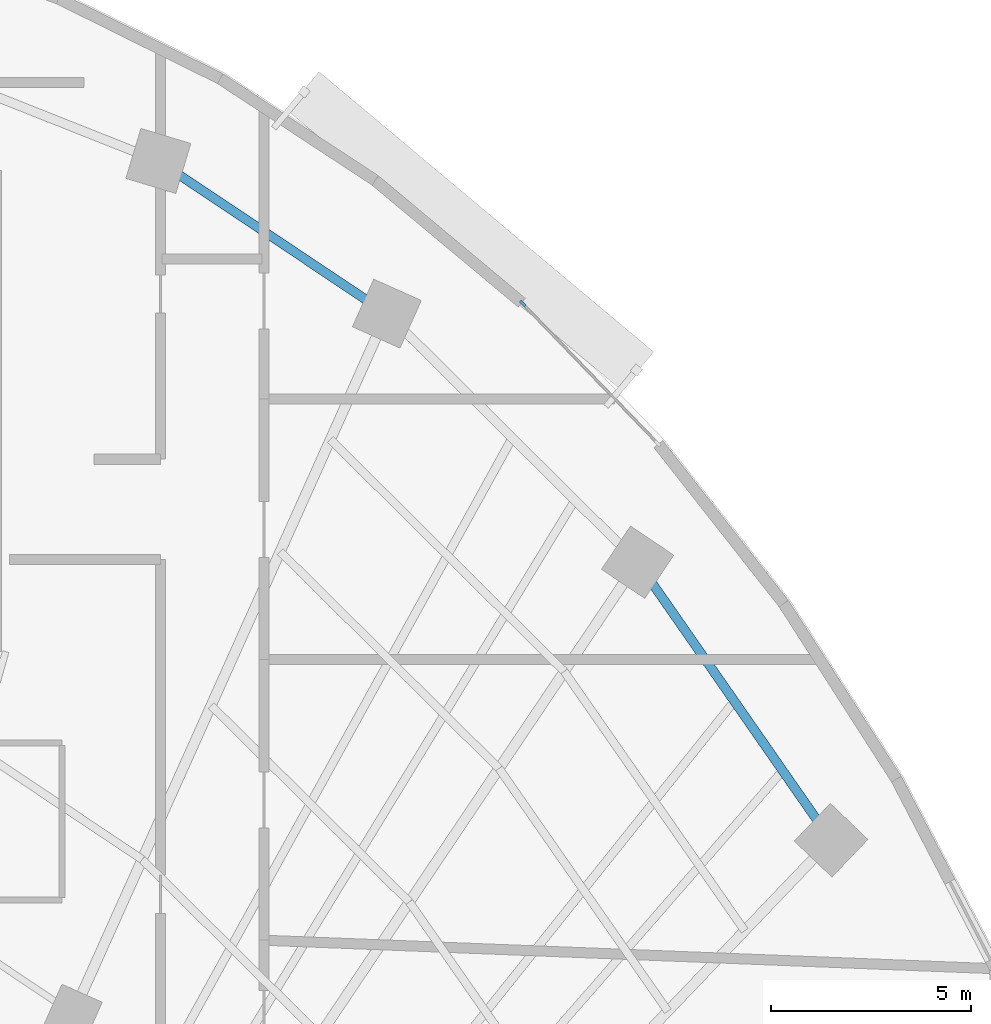
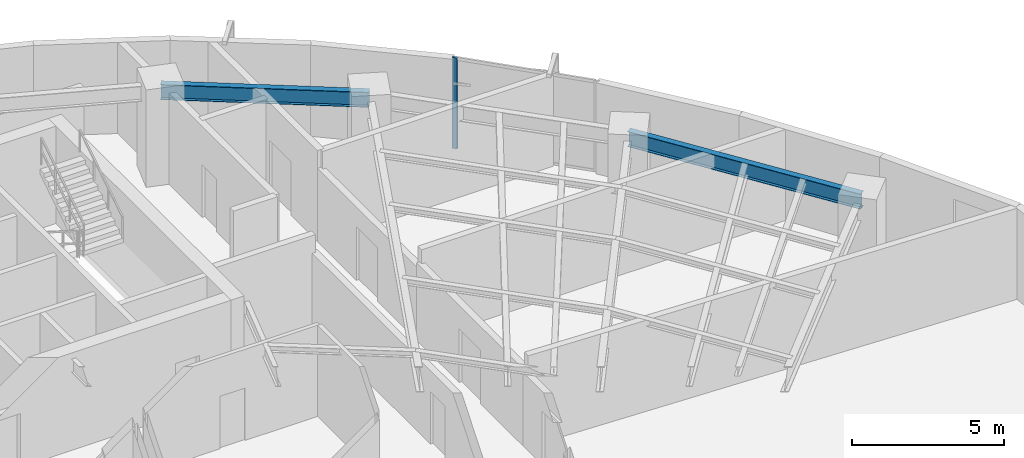
# One storey, part 6 of 14: 2 beams, 1 member, 1 element without a shape of its own.
"""IFC4 building model written with IfcOpenShell, lengths in metres."""

from ifc_helpers import new_model, si_unit, direction, frame, origin, origin_2d, place, context, subcontext, project, spatial, rectangle, i_section, extrude, source, transform, mapped, material, layer, layer_set, material_profile, profile_set, type_object, element, aggregate, save


model = new_model("IFC4")

# Units and contexts
model_context = context("Model", 3, precision=1e-05, world=origin(), true_north=direction((0.0, 1.0)))
body_context = subcontext(model_context, "Body", "Model", "MODEL_VIEW")
ifc_project = project(units=[si_unit("LENGTHUNIT", "METRE"), si_unit("AREAUNIT", "SQUARE_METRE"), si_unit("VOLUMEUNIT", "CUBIC_METRE"), si_unit("PLANEANGLEUNIT", "RADIAN"), si_unit("MASSUNIT", "GRAM", prefix="KILO")], contexts=[model_context])

# Site, building, storey
site_placement = place(None, origin())
site = spatial("IfcSite", under=ifc_project, at=site_placement, CompositionType="ELEMENT")
building_placement = place(site_placement, origin())
building = spatial("IfcBuilding", under=site, at=building_placement, Name="Breltana Convention Tower", CompositionType="ELEMENT")
storey_placement = place(building_placement, frame((0.0, 0.0, 119.39990234375)))
storey = spatial("IfcBuildingStorey", under=building, at=storey_placement, Name="L28", CompositionType="ELEMENT", Elevation=119.39990234375)

# Beams
ifc_material_1 = material(Name="Steel ASTM A992 Grade 50", Category="steel")
ifc_material_profile_1 = material_profile(ifc_material_1, i_section(OverallWidth=0.22802734375, OverallDepth=0.60791015625, WebThickness=0.01123046875, FlangeThickness=0.017333984375, at=origin_2d()), Name="W24X76")
ifc_profile_set_1 = profile_set([ifc_material_profile_1], Name="Steel ASTM A992 Grade 50")
beam_type = type_object("IfcBeamType", Name="BM-SP-W24X76", PredefinedType="SPANDREL", material=ifc_profile_set_1)
shared_shape_1 = source(origin(), body_context, "Body", "SweptSolid", [
    extrude(i_section(OverallWidth=0.22802734375, OverallDepth=0.60791015625, WebThickness=0.01123046875, FlangeThickness=0.017333984375, at=origin_2d()), origin(), (0.0, 0.0, 1.0), 6.856689453125),
])
beam_1_placement = place(storey_placement, frame((63.208984375, 72.4423828125, 3.34619140625), z_axis=(0.83150210718, -0.55552159792, 0.0), x_axis=(0.55552159792, 0.83150210718, 0.0)))
element("IfcBeam", 1, at=beam_1_placement, inside=storey, type_object=beam_type, Name="L28 Outer Spandrel Beam 08", PredefinedType="SPANDREL", context=body_context, shape_type="MappedRepresentation", body=[
    mapped(shared_shape_1, transform((0.0, 0.0, 0.0), scale=1.0)),
])
shared_shape_2 = source(origin(), body_context, "Body", "SweptSolid", [
    extrude(i_section(OverallWidth=0.22802734375, OverallDepth=0.60791015625, WebThickness=0.01123046875, FlangeThickness=0.017333984375, at=origin_2d()), origin(), (0.0, 0.0, 1.0), 8.44970703125),
])
beam_2_placement = place(storey_placement, frame((75.166748046875, 62.43017578125, 3.34619140625), z_axis=(0.5711855381, -0.820820979913, 0.0), x_axis=(0.820820979913, 0.5711855381, 0.0)))
element("IfcBeam", 2, at=beam_2_placement, inside=storey, type_object=beam_type, Name="L28 Outer Spandrel Beam 10", PredefinedType="SPANDREL", context=body_context, shape_type="MappedRepresentation", body=[
    mapped(shared_shape_2, transform((0.0, 0.0, 0.0), scale=1.0)),
])

# Curtain wall, member
ifc_material_2 = material(Name="Aluminium Anodised Bronze Frame", Category="aluminium")
ifc_layer = layer(ifc_material_2, 0.22998046875, Name="Aluminium Anodised Bronze Frame")
ifc_layer_set = layer_set([ifc_layer], Name="Aluminium Anodised Bronze Frame")
curtain_wall_type = type_object("IfcCurtainWallType", Name="CW-SYS-5", PredefinedType="NOTDEFINED", material=ifc_layer_set)
curtain_wall_placement = place(storey_placement, origin())
curtain_wall = element("IfcCurtainWall", 3, at=curtain_wall_placement, inside=storey, type_object=curtain_wall_type, Name="L28 outer double-skin inner glazing 4", PredefinedType="NOTDEFINED")
ifc_material_3 = material(Name="Aluminium Anodised Bronze", Category="aluminium")
ifc_material_profile_2 = material_profile(ifc_material_3, rectangle(XDim=0.070068359375, YDim=0.175048828125, at=origin_2d()), Name="CWM-70X175")
ifc_profile_set_2 = profile_set([ifc_material_profile_2], Name="Aluminium Anodised Bronze")
member_type = type_object("IfcMemberType", Name="CWM-175", PredefinedType="MULLION", material=ifc_profile_set_2)
shared_shape_3 = source(origin(), body_context, "Body", "SweptSolid", [
    extrude(rectangle(XDim=0.070068359375, YDim=0.175048828125, at=origin_2d()), origin(), (0.0, 0.0, 1.0), 3.650146484375),
])
member_placement = place(storey_placement, frame((72.299560546875, 68.88232421875, 0.0), z_axis=(0.0, 0.0, 1.0), x_axis=(0.719384961558, 0.694611601605, 0.0)))
member = element("IfcMember", 4, at=member_placement, type_object=member_type, Name="CW-05 mullion 1", PredefinedType="MULLION", context=body_context, shape_type="MappedRepresentation", body=[
    mapped(shared_shape_3, transform((0.0, 0.0, 0.0), scale=1.0)),
])
aggregate(curtain_wall, [member])

save(model, "model.ifc")
